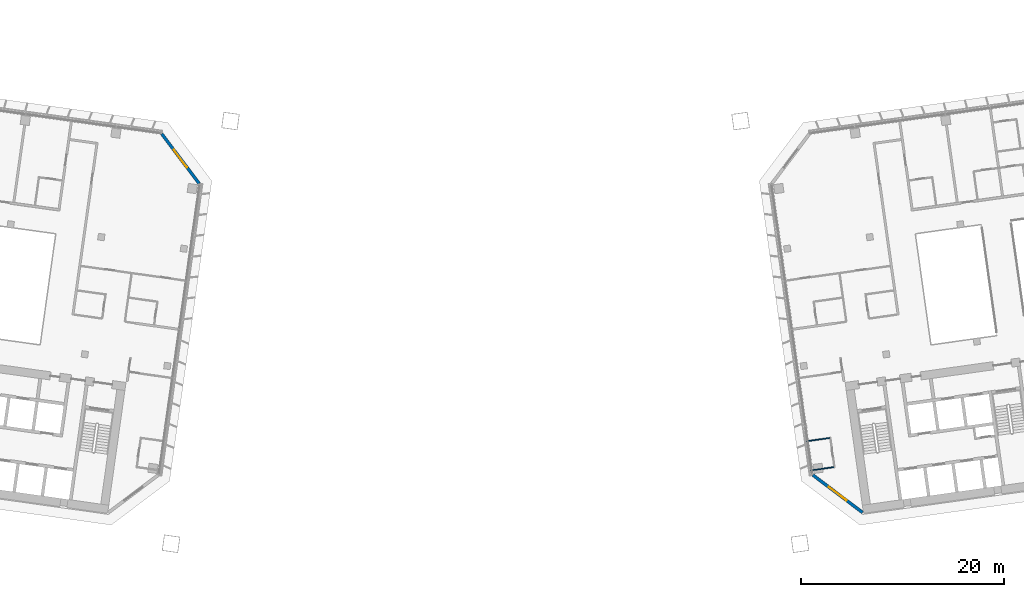
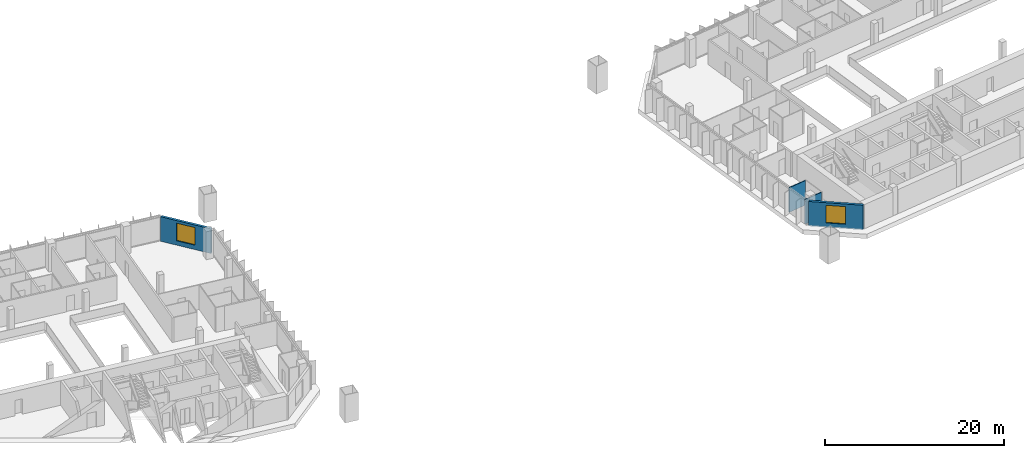
# One storey, part 19 of 26: 4 walls, 2 windows, 2 openings.
"""IFC4 building model written with IfcOpenShell, lengths in metres."""

from ifc_helpers import new_model, si_unit, direction, frame, frame_2d, origin, place, context, subcontext, project, spatial, rectangle, extrude, material, layer, layer_set, type_object, element, fill, save


model = new_model("IFC4")

# Units and contexts
model_context = context("Model", 3, precision=1e-05, world=origin(), true_north=direction((0.0, 1.0)))
body_context = subcontext(model_context, "Body", "Model", "MODEL_VIEW")
ifc_project = project(units=[si_unit("LENGTHUNIT", "METRE"), si_unit("AREAUNIT", "SQUARE_METRE"), si_unit("VOLUMEUNIT", "CUBIC_METRE"), si_unit("PLANEANGLEUNIT", "RADIAN"), si_unit("MASSUNIT", "GRAM", prefix="KILO")], contexts=[model_context])

# Site, building, storey
site_placement = place(None, origin())
site = spatial("IfcSite", under=ifc_project, at=site_placement, CompositionType="ELEMENT")
building_placement = place(site_placement, origin())
building = spatial("IfcBuilding", under=site, at=building_placement, Name="Mirante Cascada Hotel Towers", CompositionType="ELEMENT")
storey_placement = place(building_placement, frame((0.0, 0.0, 144.3)))
storey = spatial("IfcBuildingStorey", under=building, at=storey_placement, Name="L33", CompositionType="ELEMENT", Elevation=144.3)

# Walls
ifc_material_1 = material(Name="Plasterboard on metal studs")
ifc_layer_1 = layer(ifc_material_1, 0.1)
ifc_layer_set_1 = layer_set([ifc_layer_1], Name="Partition 100")
wall_type_1 = type_object("IfcWallType", Name="Partition 100", PredefinedType="PARTITIONING", material=ifc_layer_set_1)
for number, where, z_axis, x_axis, name in (
    (1, (34.2756, -15.5367, 0.0), (0.0, 0.0, 1.0), (-0.9902661, -0.139187, 0.0), "Wall 2-L33-01"),
    (2, (31.5448, -12.992, 0.0), (0.0, 0.0, 1.0), (0.9902661, 0.139187, 0.0), "Wall 2-L33-02"),
):
    element("IfcWall", number, at=place(storey_placement, frame(where, z_axis=z_axis, x_axis=x_axis)), inside=storey, type_object=wall_type_1, Name=name, PredefinedType="PARTITIONING", context=body_context, shape_type="SweptSolid", body=[
        extrude(rectangle(XDim=2.3501, YDim=0.1, at=frame_2d((1.175, 0.0))), origin(), (0.0, 0.0, 1.0), 3.35),
    ])

# Wall, opening, window
ifc_material_2 = material(Name="Precast concrete C40/50", Category="concrete")
ifc_layer_2 = layer(ifc_material_2, 0.3)
ifc_layer_set_2 = layer_set([ifc_layer_2], Name="Precast concrete C40/50 cladding wall 300")
wall_type_2 = type_object("IfcWallType", Name="Precast concrete C40/50 cladding wall 300", PredefinedType="STANDARD", material=ifc_layer_set_2)
wall_1_placement = place(storey_placement, frame((-31.857, 17.252, 0.0), z_axis=(0.0, 0.0, 1.0), x_axis=(0.6018141, -0.7986362, 0.0)))
wall_1 = element("IfcWall", 3, at=wall_1_placement, inside=storey, type_object=wall_type_2, Name="Corner cladding wall T1 L33 front inner", PredefinedType="STANDARD", context=body_context, shape_type="SweptSolid", body=[
    extrude(rectangle(XDim=6.1157, YDim=0.3, at=frame_2d((3.0578, 0.0))), origin(), (0.0, 0.0, 1.0), 3.35),
])
opening_1_placement = place(wall_1_placement, frame((1.9578, 0.0, 0.6)))
opening_1 = element("IfcOpeningElement", 4, at=opening_1_placement, cuts=wall_1, Name="Opening W1-33-05", PredefinedType="OPENING", context=body_context, shape_type="SweptSolid", body=[
    extrude(rectangle(XDim=2.2, YDim=2.4, at=frame_2d((1.1, 1.2))), frame((0.0, 0.15, 0.0), z_axis=(0.0, -1.0, 0.0), x_axis=(1.0, 0.0, 0.0)), (0.0, 0.0, 1.0), 0.3),
])
ifc_material_3 = material(Name="Aluminium frame with clear double glazing", Category="aluminium")
window_type = type_object("IfcWindowType", Name="Corner suite window 2200x2400", PartitioningType="DOUBLE_PANEL_VERTICAL", PredefinedType="WINDOW", material=ifc_material_3)
window_1_placement = place(opening_1_placement, origin())
window_1 = element("IfcWindow", 5, at=window_1_placement, inside=storey, type_object=window_type, Name="Window W1-33-05", OverallHeight=2.4, OverallWidth=2.2, PartitioningType="SINGLE_PANEL", PredefinedType="WINDOW", context=body_context, shape_type="SweptSolid", body=[
    extrude(rectangle(XDim=2.2, YDim=2.4, at=frame_2d((1.1, 1.2))), frame((0.0, 0.03, 0.0), z_axis=(0.0, -1.0, 0.0), x_axis=(1.0, 0.0, 0.0)), (0.0, 0.0, 1.0), 0.06),
])
fill(opening_1, window_1)

wall_2_placement = place(storey_placement, frame((32.2074, -16.3138, 0.0), z_axis=(0.0, 0.0, 1.0), x_axis=(0.7986362, -0.6018141, 0.0)))
wall_2 = element("IfcWall", 6, at=wall_2_placement, inside=storey, type_object=wall_type_2, Name="Corner cladding wall T2 L33 inner rear", PredefinedType="STANDARD", context=body_context, shape_type="SweptSolid", body=[
    extrude(rectangle(XDim=6.1157, YDim=0.3, at=frame_2d((3.0578, 0.0))), origin(), (0.0, 0.0, 1.0), 3.35),
])
opening_2_placement = place(wall_2_placement, frame((1.9578, 0.0, 0.6)))
opening_2 = element("IfcOpeningElement", 7, at=opening_2_placement, cuts=wall_2, Name="Opening W2-33-06", PredefinedType="OPENING", context=body_context, shape_type="SweptSolid", body=[
    extrude(rectangle(XDim=2.2, YDim=2.4, at=frame_2d((1.1, 1.2))), frame((0.0, 0.15, 0.0), z_axis=(0.0, -1.0, 0.0), x_axis=(1.0, 0.0, 0.0)), (0.0, 0.0, 1.0), 0.3),
])
window_2_placement = place(opening_2_placement, origin())
window_2 = element("IfcWindow", 8, at=window_2_placement, inside=storey, type_object=window_type, Name="Window W2-33-06", OverallHeight=2.4, OverallWidth=2.2, PartitioningType="SINGLE_PANEL", PredefinedType="WINDOW", context=body_context, shape_type="SweptSolid", body=[
    extrude(rectangle(XDim=2.2, YDim=2.4, at=frame_2d((1.1, 1.2))), frame((0.0, 0.03, 0.0), z_axis=(0.0, -1.0, 0.0), x_axis=(1.0, 0.0, 0.0)), (0.0, 0.0, 1.0), 0.06),
])
fill(opening_2, window_2)

save(model, "model.ifc")
